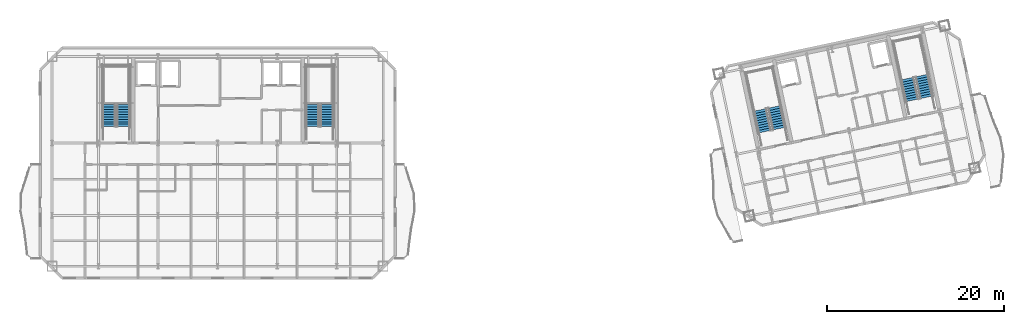
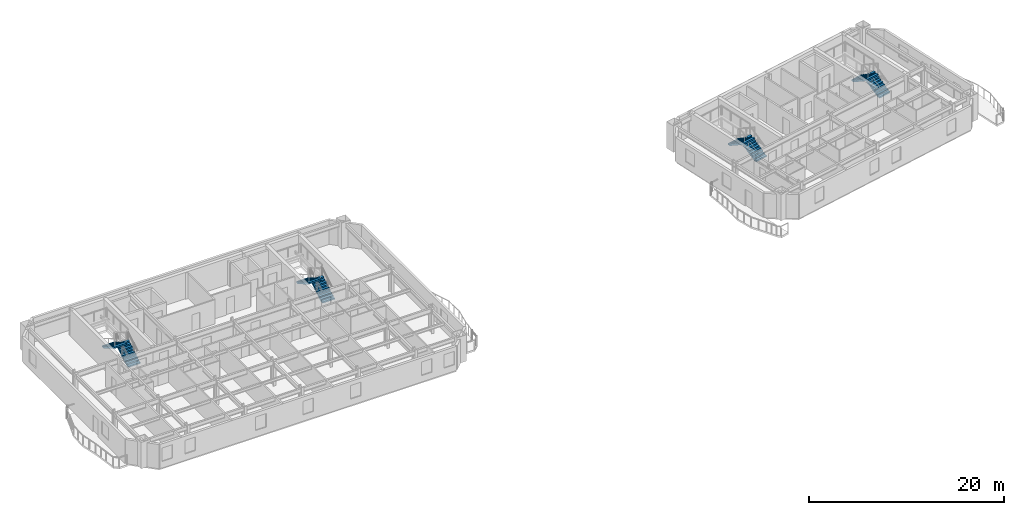
# One storey, part 9 of 13: 8 stair flights, 4 elements without a shape of their own.
"""IFC4 building model written with IfcOpenShell, lengths in metres."""

from ifc_helpers import new_model, si_unit, direction, frame, origin, place, context, subcontext, project, spatial, polyline, outline, extrude, material, type_object, element, aggregate, save


model = new_model("IFC4")

# Units and contexts
model_context = context("Model", 3, precision=1e-05, world=origin(), true_north=direction((0.0, 1.0)))
body_context = subcontext(model_context, "Body", "Model", "MODEL_VIEW")
ifc_project = project(units=[si_unit("LENGTHUNIT", "METRE"), si_unit("AREAUNIT", "SQUARE_METRE"), si_unit("VOLUMEUNIT", "CUBIC_METRE"), si_unit("PLANEANGLEUNIT", "RADIAN"), si_unit("MASSUNIT", "GRAM", prefix="KILO")], contexts=[model_context])

# Site, building, storey
site_placement = place(None, origin())
site = spatial("IfcSite", under=ifc_project, at=site_placement, CompositionType="ELEMENT")
building_placement = place(site_placement, origin())
building = spatial("IfcBuilding", under=site, at=building_placement, Name="Haevon Station Towers", CompositionType="ELEMENT")
storey_placement = place(building_placement, frame((0.0, 0.0, 222.0)))
storey = spatial("IfcBuildingStorey", under=building, at=storey_placement, Name="L61", CompositionType="ELEMENT", Elevation=222.0)

# Stair, stair flights
ifc_material = material(Name="Concrete C40/50", Category="concrete")
stair_type = type_object("IfcStairType", Name="STR-DL1450", PredefinedType="USERDEFINED", material=ifc_material)
stair_1_placement = place(storey_placement, origin())
stair_1 = element("IfcStair", 1, at=stair_1_placement, inside=storey, type_object=stair_type, Name="L61 Escape Stair ST1", ObjectType="TWO_RETURN_STAIR", PredefinedType="USERDEFINED")
stair_flight_type = type_object("IfcStairFlightType", Name="STF-ST1450", PredefinedType="STRAIGHT", material=ifc_material)
stair_flight_1_placement = place(storey_placement, frame((26.85498046875, 40.050048828125, 0.0), z_axis=(0.0, 0.0, 1.0), x_axis=(0.0, 1.0, 0.0)))
stair_flight_1 = element("IfcStairFlight", 2, at=stair_flight_1_placement, type_object=stair_flight_type, Name="L61 ST1 Flight 1", NumberOfRisers=10, NumberOfTreads=9, PredefinedType="STRAIGHT", RiserHeight=0.165, TreadLength=0.28, context=body_context, shape_type="SweptSolid", body=[
    extrude(outline(polyline([(0.0, 0.0), (0.0, 0.1650390625), (0.280029296875, 0.1650390625), (0.280029296875, 0.330078125), (0.56005859375, 0.330078125), (0.56005859375, 0.4951171875), (0.840087890625, 0.4951171875), (0.840087890625, 0.659912109375), (1.1201171875, 0.659912109375), (1.1201171875, 0.824951171875), (1.39990234375, 0.824951171875), (1.39990234375, 0.989990234375), (1.679931640625, 0.989990234375), (1.679931640625, 1.155029296875), (1.9599609375, 1.155029296875), (1.9599609375, 1.320068359375), (2.239990234375, 1.320068359375), (2.239990234375, 1.485107421875), (2.52001953125, 1.485107421875), (2.52001953125, 1.64990234375), (2.52001953125, 1.29931640625), (0.31494140625, 0.0), (0.0, 0.0)])), frame((0.0, 0.72509765625, 0.0), z_axis=(0.0, -1.0, 0.0), x_axis=(1.0, 0.0, 0.0)), (0.0, 0.0, 1.0), 1.449951171875),
])
stair_flight_2_placement = place(storey_placement, frame((25.205078125, 42.570068359375, 1.64990234375), z_axis=(0.0, 0.0, 1.0), x_axis=(0.0, -1.0, 0.0)))
stair_flight_2 = element("IfcStairFlight", 3, at=stair_flight_2_placement, type_object=stair_flight_type, Name="L61 ST1 Flight 2", NumberOfRisers=10, NumberOfTreads=9, PredefinedType="STRAIGHT", RiserHeight=0.165, TreadLength=0.28, context=body_context, shape_type="SweptSolid", body=[
    extrude(outline(polyline([(0.0, 0.0), (0.0, 0.1650390625), (0.280029296875, 0.1650390625), (0.280029296875, 0.330078125), (0.56005859375, 0.330078125), (0.56005859375, 0.4951171875), (0.840087890625, 0.4951171875), (0.840087890625, 0.659912109375), (1.1201171875, 0.659912109375), (1.1201171875, 0.824951171875), (1.39990234375, 0.824951171875), (1.39990234375, 0.989990234375), (1.679931640625, 0.989990234375), (1.679931640625, 1.155029296875), (1.9599609375, 1.155029296875), (1.9599609375, 1.320068359375), (2.239990234375, 1.320068359375), (2.239990234375, 1.485107421875), (2.52001953125, 1.485107421875), (2.52001953125, 1.64990234375), (2.52001953125, 1.29931640625), (0.31494140625, 0.0), (0.0, 0.0)])), frame((0.0, 0.72509765625, 0.0), z_axis=(0.0, -1.0, 0.0), x_axis=(1.0, 0.0, 0.0)), (0.0, 0.0, 1.0), 1.449951171875),
])
aggregate(stair_1, [stair_flight_1, stair_flight_2])

stair_2_placement = place(storey_placement, origin())
stair_2 = element("IfcStair", 4, at=stair_2_placement, inside=storey, type_object=stair_type, Name="L61 Escape Stair ST2", ObjectType="TWO_RETURN_STAIR", PredefinedType="USERDEFINED")
stair_flight_3_placement = place(storey_placement, frame((49.89501953125, 40.050048828125, 0.0), z_axis=(0.0, 0.0, 1.0), x_axis=(0.0, 1.0, 0.0)))
stair_flight_3 = element("IfcStairFlight", 5, at=stair_flight_3_placement, type_object=stair_flight_type, Name="L61 ST2 Flight 1", NumberOfRisers=10, NumberOfTreads=9, PredefinedType="STRAIGHT", RiserHeight=0.165, TreadLength=0.28, context=body_context, shape_type="SweptSolid", body=[
    extrude(outline(polyline([(0.0, 0.0), (0.0, 0.1650390625), (0.280029296875, 0.1650390625), (0.280029296875, 0.330078125), (0.56005859375, 0.330078125), (0.56005859375, 0.4951171875), (0.840087890625, 0.4951171875), (0.840087890625, 0.659912109375), (1.1201171875, 0.659912109375), (1.1201171875, 0.824951171875), (1.39990234375, 0.824951171875), (1.39990234375, 0.989990234375), (1.679931640625, 0.989990234375), (1.679931640625, 1.155029296875), (1.9599609375, 1.155029296875), (1.9599609375, 1.320068359375), (2.239990234375, 1.320068359375), (2.239990234375, 1.485107421875), (2.52001953125, 1.485107421875), (2.52001953125, 1.64990234375), (2.52001953125, 1.29931640625), (0.31494140625, 0.0), (0.0, 0.0)])), frame((0.0, 0.72509765625, 0.0), z_axis=(0.0, -1.0, 0.0), x_axis=(1.0, 0.0, 0.0)), (0.0, 0.0, 1.0), 1.449951171875),
])
stair_flight_4_placement = place(storey_placement, frame((48.2451171875, 42.570068359375, 1.64990234375), z_axis=(0.0, 0.0, 1.0), x_axis=(0.0, -1.0, 0.0)))
stair_flight_4 = element("IfcStairFlight", 6, at=stair_flight_4_placement, type_object=stair_flight_type, Name="L61 ST2 Flight 2", NumberOfRisers=10, NumberOfTreads=9, PredefinedType="STRAIGHT", RiserHeight=0.165, TreadLength=0.28, context=body_context, shape_type="SweptSolid", body=[
    extrude(outline(polyline([(0.0, 0.0), (0.0, 0.1650390625), (0.280029296875, 0.1650390625), (0.280029296875, 0.330078125), (0.56005859375, 0.330078125), (0.56005859375, 0.4951171875), (0.840087890625, 0.4951171875), (0.840087890625, 0.659912109375), (1.1201171875, 0.659912109375), (1.1201171875, 0.824951171875), (1.39990234375, 0.824951171875), (1.39990234375, 0.989990234375), (1.679931640625, 0.989990234375), (1.679931640625, 1.155029296875), (1.9599609375, 1.155029296875), (1.9599609375, 1.320068359375), (2.239990234375, 1.320068359375), (2.239990234375, 1.485107421875), (2.52001953125, 1.485107421875), (2.52001953125, 1.64990234375), (2.52001953125, 1.29931640625), (0.31494140625, 0.0), (0.0, 0.0)])), frame((0.0, 0.72509765625, 0.0), z_axis=(0.0, -1.0, 0.0), x_axis=(1.0, 0.0, 0.0)), (0.0, 0.0, 1.0), 1.449951171875),
])
aggregate(stair_2, [stair_flight_3, stair_flight_4])

stair_3_placement = place(storey_placement, origin())
stair_3 = element("IfcStair", 7, at=stair_3_placement, inside=storey, type_object=stair_type, Name="L61 Escape Stair ST3", ObjectType="TWO_RETURN_STAIR", PredefinedType="USERDEFINED")
stair_flight_5_placement = place(storey_placement, frame((101.1015625, 39.8330078125, 0.0), z_axis=(0.0, 0.0, 1.0), x_axis=(-0.207911690818, 0.978147600734, 0.0)))
stair_flight_5 = element("IfcStairFlight", 8, at=stair_flight_5_placement, type_object=stair_flight_type, Name="L61 ST3 Flight 1", NumberOfRisers=10, NumberOfTreads=9, PredefinedType="STRAIGHT", RiserHeight=0.165, TreadLength=0.28, context=body_context, shape_type="SweptSolid", body=[
    extrude(outline(polyline([(0.0, 0.0), (0.0, 0.1650390625), (0.280029296875, 0.1650390625), (0.280029296875, 0.330078125), (0.56005859375, 0.330078125), (0.56005859375, 0.4951171875), (0.840087890625, 0.4951171875), (0.840087890625, 0.659912109375), (1.1201171875, 0.659912109375), (1.1201171875, 0.824951171875), (1.39990234375, 0.824951171875), (1.39990234375, 0.989990234375), (1.679931640625, 0.989990234375), (1.679931640625, 1.155029296875), (1.9599609375, 1.155029296875), (1.9599609375, 1.320068359375), (2.239990234375, 1.320068359375), (2.239990234375, 1.485107421875), (2.52001953125, 1.485107421875), (2.52001953125, 1.64990234375), (2.52001953125, 1.29931640625), (0.31494140625, 0.0), (0.0, 0.0)])), frame((0.0, 0.72509765625, 0.0), z_axis=(0.0, -1.0, 0.0), x_axis=(1.0, 0.0, 0.0)), (0.0, 0.0, 1.0), 1.449951171875),
])
stair_flight_6_placement = place(storey_placement, frame((98.9638671875, 41.955078125, 1.64990234375), z_axis=(0.0, 0.0, 1.0), x_axis=(0.207911690818, -0.978147600734, 0.0)))
stair_flight_6 = element("IfcStairFlight", 9, at=stair_flight_6_placement, type_object=stair_flight_type, Name="L61 ST3 Flight 2", NumberOfRisers=10, NumberOfTreads=9, PredefinedType="STRAIGHT", RiserHeight=0.165, TreadLength=0.28, context=body_context, shape_type="SweptSolid", body=[
    extrude(outline(polyline([(0.0, 0.0), (0.0, 0.1650390625), (0.280029296875, 0.1650390625), (0.280029296875, 0.330078125), (0.56005859375, 0.330078125), (0.56005859375, 0.4951171875), (0.840087890625, 0.4951171875), (0.840087890625, 0.659912109375), (1.1201171875, 0.659912109375), (1.1201171875, 0.824951171875), (1.39990234375, 0.824951171875), (1.39990234375, 0.989990234375), (1.679931640625, 0.989990234375), (1.679931640625, 1.155029296875), (1.9599609375, 1.155029296875), (1.9599609375, 1.320068359375), (2.239990234375, 1.320068359375), (2.239990234375, 1.485107421875), (2.52001953125, 1.485107421875), (2.52001953125, 1.64990234375), (2.52001953125, 1.29931640625), (0.31494140625, 0.0), (0.0, 0.0)])), frame((0.0, 0.72509765625, 0.0), z_axis=(0.0, -1.0, 0.0), x_axis=(1.0, 0.0, 0.0)), (0.0, 0.0, 1.0), 1.449951171875),
])
aggregate(stair_3, [stair_flight_5, stair_flight_6])

stair_4_placement = place(storey_placement, origin())
stair_4 = element("IfcStair", 10, at=stair_4_placement, inside=storey, type_object=stair_type, Name="L61 Escape Stair ST4", ObjectType="TWO_RETURN_STAIR", PredefinedType="USERDEFINED")
stair_flight_7_placement = place(storey_placement, frame((117.788818359375, 43.380126953125, 0.0), z_axis=(0.0, 0.0, 1.0), x_axis=(-0.207911690818, 0.978147600734, 0.0)))
stair_flight_7 = element("IfcStairFlight", 11, at=stair_flight_7_placement, type_object=stair_flight_type, Name="L61 ST4 Flight 1", NumberOfRisers=10, NumberOfTreads=9, PredefinedType="STRAIGHT", RiserHeight=0.165, TreadLength=0.28, context=body_context, shape_type="SweptSolid", body=[
    extrude(outline(polyline([(0.0, 0.0), (0.0, 0.1650390625), (0.280029296875, 0.1650390625), (0.280029296875, 0.330078125), (0.56005859375, 0.330078125), (0.56005859375, 0.4951171875), (0.840087890625, 0.4951171875), (0.840087890625, 0.659912109375), (1.1201171875, 0.659912109375), (1.1201171875, 0.824951171875), (1.39990234375, 0.824951171875), (1.39990234375, 0.989990234375), (1.679931640625, 0.989990234375), (1.679931640625, 1.155029296875), (1.9599609375, 1.155029296875), (1.9599609375, 1.320068359375), (2.239990234375, 1.320068359375), (2.239990234375, 1.485107421875), (2.52001953125, 1.485107421875), (2.52001953125, 1.64990234375), (2.52001953125, 1.29931640625), (0.31494140625, 0.0), (0.0, 0.0)])), frame((0.0, 0.72509765625, 0.0), z_axis=(0.0, -1.0, 0.0), x_axis=(1.0, 0.0, 0.0)), (0.0, 0.0, 1.0), 1.449951171875),
])
stair_flight_8_placement = place(storey_placement, frame((115.65087890625, 45.501953125, 1.64990234375), z_axis=(0.0, 0.0, 1.0), x_axis=(0.207911690818, -0.978147600734, 0.0)))
stair_flight_8 = element("IfcStairFlight", 12, at=stair_flight_8_placement, type_object=stair_flight_type, Name="L61 ST4 Flight 2", NumberOfRisers=10, NumberOfTreads=9, PredefinedType="STRAIGHT", RiserHeight=0.165, TreadLength=0.28, context=body_context, shape_type="SweptSolid", body=[
    extrude(outline(polyline([(0.0, 0.0), (0.0, 0.1650390625), (0.280029296875, 0.1650390625), (0.280029296875, 0.330078125), (0.56005859375, 0.330078125), (0.56005859375, 0.4951171875), (0.840087890625, 0.4951171875), (0.840087890625, 0.659912109375), (1.1201171875, 0.659912109375), (1.1201171875, 0.824951171875), (1.39990234375, 0.824951171875), (1.39990234375, 0.989990234375), (1.679931640625, 0.989990234375), (1.679931640625, 1.155029296875), (1.9599609375, 1.155029296875), (1.9599609375, 1.320068359375), (2.239990234375, 1.320068359375), (2.239990234375, 1.485107421875), (2.52001953125, 1.485107421875), (2.52001953125, 1.64990234375), (2.52001953125, 1.29931640625), (0.31494140625, 0.0), (0.0, 0.0)])), frame((0.0, 0.72509765625, 0.0), z_axis=(0.0, -1.0, 0.0), x_axis=(1.0, 0.0, 0.0)), (0.0, 0.0, 1.0), 1.449951171875),
])
aggregate(stair_4, [stair_flight_7, stair_flight_8])

save(model, "model.ifc")
